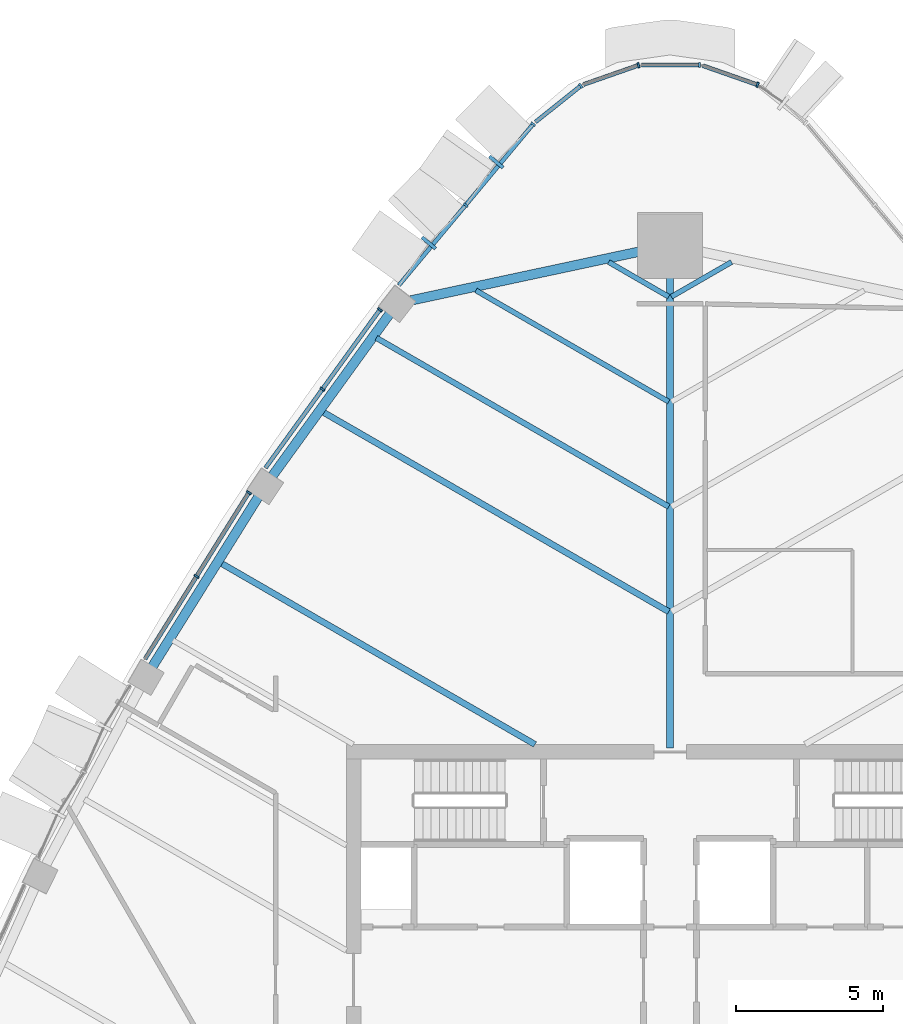
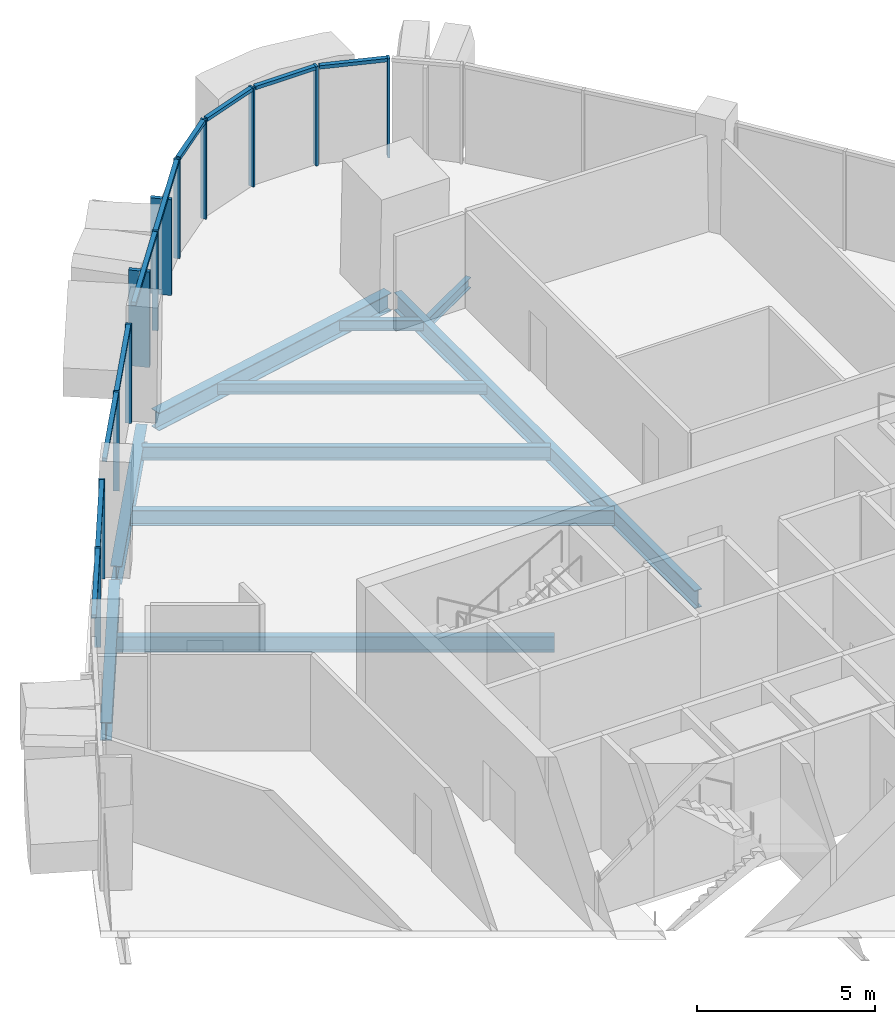
# One storey, part 6 of 18: 22 members, 10 beams, 7 elements without a shape of their own.
"""IFC4 building model written with IfcOpenShell, lengths in metres."""

from ifc_helpers import new_model, si_unit, direction, frame, origin, origin_2d, place, context, subcontext, project, spatial, rectangle, i_section, extrude, material, layer, layer_set, material_profile, profile_set, type_object, element, aggregate, save


model = new_model("IFC4")

# Units and contexts
model_context = context("Model", 3, precision=1e-05, world=origin(), true_north=direction((0.0, 1.0)))
body_context = subcontext(model_context, "Body", "Model", "MODEL_VIEW")
ifc_project = project(units=[si_unit("LENGTHUNIT", "METRE"), si_unit("AREAUNIT", "SQUARE_METRE"), si_unit("VOLUMEUNIT", "CUBIC_METRE"), si_unit("PLANEANGLEUNIT", "RADIAN"), si_unit("MASSUNIT", "GRAM", prefix="KILO")], contexts=[model_context])

# Site, building, storey
site_placement = place(None, origin())
site = spatial("IfcSite", under=ifc_project, at=site_placement, CompositionType="ELEMENT")
building_placement = place(site_placement, origin())
building = spatial("IfcBuilding", under=site, at=building_placement, Name="Sierra Prisma Convention Tower", CompositionType="ELEMENT")
storey_placement = place(building_placement, frame((0.0, 0.0, 255.0)))
storey = spatial("IfcBuildingStorey", under=building, at=storey_placement, Name="L57", CompositionType="ELEMENT", Elevation=255.0)

# Curtain wall, members
ifc_material_1 = material(Name="Aluminium and glass curtain wall", Category="aluminium")
ifc_layer_1 = layer(ifc_material_1, 0.179931640625)
ifc_layer_set_1 = layer_set([ifc_layer_1], Name="CW-2 Faceted crystal curtain wall")
curtain_wall_type_1 = type_object("IfcCurtainWallType", Name="CW-2 Faceted crystal curtain wall", PredefinedType="NOTDEFINED", material=ifc_layer_set_1)
curtain_wall_1_placement = place(storey_placement, origin())
curtain_wall_1 = element("IfcCurtainWall", 1, at=curtain_wall_1_placement, inside=storey, type_object=curtain_wall_type_1, Name="CW-2 NW1 L57", PredefinedType="NOTDEFINED")
ifc_material_2 = material(Name="Aluminium 6063-T6 bronze anodised", Category="aluminium")
ifc_material_profile_1 = material_profile(ifc_material_2, rectangle(XDim=0.1201171875, YDim=0.60009765625, at=origin_2d()), Name="ALU RIDGE BLADE 120x600")
ifc_profile_set_1 = profile_set([ifc_material_profile_1], Name="Aluminium 6063-T6 bronze anodised")
member_type_1 = type_object("IfcMemberType", Name="CW hip bronze", PredefinedType="MULLION", material=ifc_profile_set_1)
member_1_placement = place(storey_placement, frame((-5.90478515625, 27.78857421875, 0.0), z_axis=(0.0, 0.0, 1.0), x_axis=(-0.640129609041, -0.76826693514, 0.0)))
member_1 = element("IfcMember", 2, at=member_1_placement, type_object=member_type_1, Name="CW-2 ridge NW1.1", PredefinedType="MULLION", context=body_context, shape_type="SweptSolid", body=[
    extrude(rectangle(XDim=0.1201171875, YDim=0.60009765625, at=origin_2d()), origin(), (0.0, 0.0, 1.0), 3.280029296875),
])
member_2_placement = place(storey_placement, frame((-8.197021484375, 25.037353515625, 0.0), z_axis=(0.0, 0.0, 1.0), x_axis=(-0.640129609041, -0.76826693514, 0.0)))
member_2 = element("IfcMember", 3, at=member_2_placement, type_object=member_type_1, Name="CW-2 ridge NW1.2", PredefinedType="MULLION", context=body_context, shape_type="SweptSolid", body=[
    extrude(rectangle(XDim=0.1201171875, YDim=0.60009765625, at=origin_2d()), origin(), (0.0, 0.0, 1.0), 3.280029296875),
])

# Curtain wall, member
ifc_material_3 = material(Name="Aluminium and glass curtain wall", Category="aluminium")
ifc_layer_2 = layer(ifc_material_3, 0.179931640625)
ifc_layer_set_2 = layer_set([ifc_layer_2], Name="CW-1 Plain shaft curtain wall")
curtain_wall_type_2 = type_object("IfcCurtainWallType", Name="CW-1 Plain shaft curtain wall", PredefinedType="NOTDEFINED", material=ifc_layer_set_2)
curtain_wall_2_placement = place(storey_placement, origin())
curtain_wall_2 = element("IfcCurtainWall", 4, at=curtain_wall_2_placement, inside=storey, type_object=curtain_wall_type_2, Name="CW-1 N2 L57", PredefinedType="NOTDEFINED")
ifc_material_4 = material(Name="Aluminium 6063-T6 bronze anodised", Category="aluminium")
ifc_material_profile_2 = material_profile(ifc_material_4, rectangle(XDim=0.179931640625, YDim=0.070068359375, at=origin_2d()), Name="ALU MULLION 70x180")
ifc_profile_set_2 = profile_set([ifc_material_profile_2], Name="Aluminium 6063-T6 bronze anodised")
member_type_2 = type_object("IfcMemberType", Name="CW mullion bronze", PredefinedType="MULLION", material=ifc_profile_set_2)
member_3_placement = place(storey_placement, frame((2.970947265625, 30.411865234375, 0.0), z_axis=(0.0, 0.0, 1.0), x_axis=(-0.330436761906, -0.943828133921, 0.0)))
member_3 = element("IfcMember", 5, at=member_3_placement, type_object=member_type_2, Name="CW-1 mullion N2.1", PredefinedType="MULLION", context=body_context, shape_type="SweptSolid", body=[
    extrude(rectangle(XDim=0.179931640625, YDim=0.070068359375, at=origin_2d()), origin(), (0.0, 0.0, 1.0), 3.39990234375),
])

curtain_wall_3_placement = place(storey_placement, origin())
curtain_wall_3 = element("IfcCurtainWall", 6, at=curtain_wall_3_placement, inside=storey, type_object=curtain_wall_type_2, Name="CW-1 N3 L57", PredefinedType="NOTDEFINED")
member_4_placement = place(storey_placement, frame((1.005126953125, 31.087646484375, 0.0), z_axis=(0.0, 0.0, 1.0), x_axis=(0.0, -1.0, 0.0)))
member_4 = element("IfcMember", 7, at=member_4_placement, type_object=member_type_2, Name="CW-1 mullion N3.1", PredefinedType="MULLION", context=body_context, shape_type="SweptSolid", body=[
    extrude(rectangle(XDim=0.179931640625, YDim=0.070068359375, at=origin_2d()), origin(), (0.0, 0.0, 1.0), 3.39990234375),
])

curtain_wall_4_placement = place(storey_placement, origin())
curtain_wall_4 = element("IfcCurtainWall", 8, at=curtain_wall_4_placement, inside=storey, type_object=curtain_wall_type_2, Name="CW-1 N4 L57", PredefinedType="NOTDEFINED")
member_5_placement = place(storey_placement, frame((-1.0732421875, 31.076171875, 0.0), z_axis=(0.0, 0.0, 1.0), x_axis=(0.330436761906, -0.943828133921, 0.0)))
member_5 = element("IfcMember", 9, at=member_5_placement, type_object=member_type_2, Name="CW-1 mullion N4.1", PredefinedType="MULLION", context=body_context, shape_type="SweptSolid", body=[
    extrude(rectangle(XDim=0.179931640625, YDim=0.070068359375, at=origin_2d()), origin(), (0.0, 0.0, 1.0), 3.39990234375),
])

curtain_wall_5_placement = place(storey_placement, origin())
curtain_wall_5 = element("IfcCurtainWall", 10, at=curtain_wall_5_placement, inside=storey, type_object=curtain_wall_type_2, Name="CW-1 N5 L57", PredefinedType="NOTDEFINED")
member_6_placement = place(storey_placement, frame((-3.03125, 30.37841796875, 0.0), z_axis=(0.0, 0.0, 1.0), x_axis=(0.623751024737, -0.781623092763, 0.0)))
member_6 = element("IfcMember", 11, at=member_6_placement, type_object=member_type_2, Name="CW-1 mullion N5.1", PredefinedType="MULLION", context=body_context, shape_type="SweptSolid", body=[
    extrude(rectangle(XDim=0.179931640625, YDim=0.070068359375, at=origin_2d()), origin(), (0.0, 0.0, 1.0), 3.39990234375),
])

# Member
member_7_placement = place(storey_placement, frame((-4.65234375, 29.07568359375, 0.0), z_axis=(0.0, 0.0, 1.0), x_axis=(0.76826693514, -0.640129609041, 0.0)))
member_7 = element("IfcMember", 12, at=member_7_placement, type_object=member_type_2, Name="CW-1 mullion NW1.1", PredefinedType="MULLION", context=body_context, shape_type="SweptSolid", body=[
    extrude(rectangle(XDim=0.179931640625, YDim=0.070068359375, at=origin_2d()), origin(), (0.0, 0.0, 1.0), 3.39990234375),
])

member_8_placement = place(storey_placement, frame((-6.944580078125, 26.324462890625, 0.0), z_axis=(0.0, 0.0, 1.0), x_axis=(0.76826693514, -0.640129609041, 0.0)))
member_8 = element("IfcMember", 13, at=member_8_placement, type_object=member_type_2, Name="CW-1 mullion NW1.2", PredefinedType="MULLION", context=body_context, shape_type="SweptSolid", body=[
    extrude(rectangle(XDim=0.179931640625, YDim=0.070068359375, at=origin_2d()), origin(), (0.0, 0.0, 1.0), 3.39990234375),
])

# Curtain wall, members
curtain_wall_6_placement = place(storey_placement, origin())
curtain_wall_6 = element("IfcCurtainWall", 14, at=curtain_wall_6_placement, inside=storey, type_object=curtain_wall_type_2, Name="CW-1 NW2 L57", PredefinedType="NOTDEFINED")
member_9_placement = place(storey_placement, frame((-9.857421875, 22.772216796875, 0.0), z_axis=(0.0, 0.0, 1.0), x_axis=(0.810237160586, -0.586102161407, 0.0)))
member_9 = element("IfcMember", 15, at=member_9_placement, type_object=member_type_2, Name="CW-1 mullion NW2.1", PredefinedType="MULLION", context=body_context, shape_type="SweptSolid", body=[
    extrude(rectangle(XDim=0.179931640625, YDim=0.070068359375, at=origin_2d()), origin(), (0.0, 0.0, 1.0), 3.39990234375),
])
member_10_placement = place(storey_placement, frame((-11.8115234375, 20.07080078125, 0.0), z_axis=(0.0, 0.0, 1.0), x_axis=(0.810237160586, -0.586102161407, 0.0)))
member_10 = element("IfcMember", 16, at=member_10_placement, type_object=member_type_2, Name="CW-1 mullion NW2.2", PredefinedType="MULLION", context=body_context, shape_type="SweptSolid", body=[
    extrude(rectangle(XDim=0.179931640625, YDim=0.070068359375, at=origin_2d()), origin(), (0.0, 0.0, 1.0), 3.39990234375),
])

curtain_wall_7_placement = place(storey_placement, origin())
curtain_wall_7 = element("IfcCurtainWall", 17, at=curtain_wall_7_placement, inside=storey, type_object=curtain_wall_type_2, Name="CW-1 NW3 L57", PredefinedType="NOTDEFINED")
member_11_placement = place(storey_placement, frame((-14.31298828125, 16.5546875, 0.0), z_axis=(0.0, 0.0, 1.0), x_axis=(0.848415099423, -0.529331483166, 0.0)))
member_11 = element("IfcMember", 18, at=member_11_placement, type_object=member_type_2, Name="CW-1 mullion NW3.1", PredefinedType="MULLION", context=body_context, shape_type="SweptSolid", body=[
    extrude(rectangle(XDim=0.179931640625, YDim=0.070068359375, at=origin_2d()), origin(), (0.0, 0.0, 1.0), 3.39990234375),
])
member_12_placement = place(storey_placement, frame((-16.086181640625, 13.712890625, 0.0), z_axis=(0.0, 0.0, 1.0), x_axis=(0.848415099423, -0.529331483166, 0.0)))
member_12 = element("IfcMember", 19, at=member_12_placement, type_object=member_type_2, Name="CW-1 mullion NW3.2", PredefinedType="MULLION", context=body_context, shape_type="SweptSolid", body=[
    extrude(rectangle(XDim=0.179931640625, YDim=0.070068359375, at=origin_2d()), origin(), (0.0, 0.0, 1.0), 3.39990234375),
])

# Member
ifc_material_5 = material(Name="Aluminium 6063-T6 bronze anodised", Category="aluminium")
ifc_material_profile_3 = material_profile(ifc_material_5, rectangle(XDim=0.139892578125, YDim=0.1201171875, at=origin_2d()), Name="ALU TRANSOM 120x140")
ifc_profile_set_3 = profile_set([ifc_material_profile_3], Name="Aluminium 6063-T6 bronze anodised")
member_type_3 = type_object("IfcMemberType", Name="CW transom bronze", PredefinedType="USERDEFINED", material=ifc_profile_set_3)
member_13_placement = place(storey_placement, frame((2.937744140625, 30.42333984375, 3.340087890625), z_axis=(-0.943846587099, 0.330384049283, 0.0), x_axis=(-0.330384049283, -0.943846587099, 0.0)))
member_13 = element("IfcMember", 20, at=member_13_placement, type_object=member_type_3, Name="CW-1 transom N2.1", ObjectType="TRANSOM", PredefinedType="USERDEFINED", context=body_context, shape_type="SweptSolid", body=[
    extrude(rectangle(XDim=0.139892578125, YDim=0.1201171875, at=origin_2d()), origin(), (0.0, 0.0, 1.0), 1.9404296875),
])

aggregate(curtain_wall_2, [member_3, member_13])

member_14_placement = place(storey_placement, frame((0.97021484375, 31.087646484375, 3.340087890625), z_axis=(-1.0, 0.0, 0.0), x_axis=(0.0, -1.0, 0.0)))
member_14 = element("IfcMember", 21, at=member_14_placement, type_object=member_type_3, Name="CW-1 transom N3.1", ObjectType="TRANSOM", PredefinedType="USERDEFINED", context=body_context, shape_type="SweptSolid", body=[
    extrude(rectangle(XDim=0.139892578125, YDim=0.1201171875, at=origin_2d()), origin(), (0.0, 0.0, 1.0), 1.9404296875),
])

aggregate(curtain_wall_3, [member_4, member_14])

member_15_placement = place(storey_placement, frame((-1.106201171875, 31.064453125, 3.340087890625), z_axis=(-0.943846587099, -0.330384049283, 0.0), x_axis=(0.330384049283, -0.943846587099, 0.0)))
member_15 = element("IfcMember", 22, at=member_15_placement, type_object=member_type_3, Name="CW-1 transom N4.1", ObjectType="TRANSOM", PredefinedType="USERDEFINED", context=body_context, shape_type="SweptSolid", body=[
    extrude(rectangle(XDim=0.139892578125, YDim=0.1201171875, at=origin_2d()), origin(), (0.0, 0.0, 1.0), 1.9404296875),
])

aggregate(curtain_wall_4, [member_5, member_15])

member_16_placement = place(storey_placement, frame((-3.05859375, 30.356689453125, 3.340087890625), z_axis=(-0.781629199577, -0.623743372204, 0.0), x_axis=(0.623743372204, -0.781629199577, 0.0)))
member_16 = element("IfcMember", 23, at=member_16_placement, type_object=member_type_3, Name="CW-1 transom N5.1", ObjectType="TRANSOM", PredefinedType="USERDEFINED", context=body_context, shape_type="SweptSolid", body=[
    extrude(rectangle(XDim=0.139892578125, YDim=0.1201171875, at=origin_2d()), origin(), (0.0, 0.0, 1.0), 1.940673828125),
])

aggregate(curtain_wall_5, [member_6, member_16])

member_17_placement = place(storey_placement, frame((-4.6748046875, 29.048828125, 3.340087890625), z_axis=(-0.640122843609, -0.768272572131, 0.0), x_axis=(0.768272572131, -0.640122843609, 0.0)))
member_17 = element("IfcMember", 24, at=member_17_placement, type_object=member_type_3, Name="CW-1 transom NW1.1", ObjectType="TRANSOM", PredefinedType="USERDEFINED", context=body_context, shape_type="SweptSolid", body=[
    extrude(rectangle(XDim=0.139892578125, YDim=0.1201171875, at=origin_2d()), origin(), (0.0, 0.0, 1.0), 3.51123046875),
])

member_18_placement = place(storey_placement, frame((-6.967041015625, 26.297607421875, 3.340087890625), z_axis=(-0.640157040464, -0.768244078106, 0.0), x_axis=(0.768244078106, -0.640157040464, 0.0)))
member_18 = element("IfcMember", 25, at=member_18_placement, type_object=member_type_3, Name="CW-1 transom NW1.2", ObjectType="TRANSOM", PredefinedType="USERDEFINED", context=body_context, shape_type="SweptSolid", body=[
    extrude(rectangle(XDim=0.139892578125, YDim=0.1201171875, at=origin_2d()), origin(), (0.0, 0.0, 1.0), 3.510986328125),
])

aggregate(curtain_wall_1, [member_7, member_8, member_17, member_1, member_18, member_2])

member_19_placement = place(storey_placement, frame((-9.8779296875, 22.743896484375, 3.340087890625), z_axis=(-0.586123965477, -0.810221387704, 0.0), x_axis=(0.810221387704, -0.586123965477, 0.0)))
member_19 = element("IfcMember", 26, at=member_19_placement, type_object=member_type_3, Name="CW-1 transom NW2.1", ObjectType="TRANSOM", PredefinedType="USERDEFINED", context=body_context, shape_type="SweptSolid", body=[
    extrude(rectangle(XDim=0.139892578125, YDim=0.1201171875, at=origin_2d()), origin(), (0.0, 0.0, 1.0), 3.263916015625),
])

member_20_placement = place(storey_placement, frame((-11.83203125, 20.04248046875, 3.340087890625), z_axis=(-0.586074859878, -0.810256909023, 0.0), x_axis=(0.810256909023, -0.586074859878, 0.0)))
member_20 = element("IfcMember", 27, at=member_20_placement, type_object=member_type_3, Name="CW-1 transom NW2.2", ObjectType="TRANSOM", PredefinedType="USERDEFINED", context=body_context, shape_type="SweptSolid", body=[
    extrude(rectangle(XDim=0.139892578125, YDim=0.1201171875, at=origin_2d()), origin(), (0.0, 0.0, 1.0), 3.263916015625),
])

aggregate(curtain_wall_6, [member_9, member_10, member_19, member_20])

member_21_placement = place(storey_placement, frame((-14.33154296875, 16.525146484375, 3.340087890625), z_axis=(-0.529316296517, -0.84842457428, 0.0), x_axis=(0.84842457428, -0.529316296517, 0.0)))
member_21 = element("IfcMember", 28, at=member_21_placement, type_object=member_type_3, Name="CW-1 transom NW3.1", ObjectType="TRANSOM", PredefinedType="USERDEFINED", context=body_context, shape_type="SweptSolid", body=[
    extrude(rectangle(XDim=0.139892578125, YDim=0.1201171875, at=origin_2d()), origin(), (0.0, 0.0, 1.0), 3.27978515625),
])

member_22_placement = place(storey_placement, frame((-16.104736328125, 13.68310546875, 3.340087890625), z_axis=(-0.529316296517, -0.84842457428, 0.0), x_axis=(0.84842457428, -0.529316296517, 0.0)))
member_22 = element("IfcMember", 29, at=member_22_placement, type_object=member_type_3, Name="CW-1 transom NW3.2", ObjectType="TRANSOM", PredefinedType="USERDEFINED", context=body_context, shape_type="SweptSolid", body=[
    extrude(rectangle(XDim=0.139892578125, YDim=0.1201171875, at=origin_2d()), origin(), (0.0, 0.0, 1.0), 3.27978515625),
])

aggregate(curtain_wall_7, [member_11, member_12, member_21, member_22])

# Beams
ifc_material_6 = material(Name="Steel ASTM A992 Gr 50", Category="steel")
ifc_material_profile_4 = material_profile(ifc_material_6, i_section(OverallWidth=0.172119140625, OverallDepth=0.35791015625, WebThickness=0.0078125, FlangeThickness=0.01318359375, at=origin_2d()), Name="W360x57")
ifc_profile_set_4 = profile_set([ifc_material_profile_4], Name="Steel ASTM A992 Gr 50")
beam_type_1 = type_object("IfcBeamType", Name="Floor joist W360x57", PredefinedType="JOIST", material=ifc_profile_set_4)
for number, where, z_axis, x_axis, name in (
    (30, (2.08740234375, 24.39013671875, -0.3291015625), (-0.866016566931, -0.500015305566, 0.0), (0.500015305566, -0.866016566931, 0.0), "Floor joist L57 NE14"),
    (31, (-2.08740234375, 24.39013671875, -0.3291015625), (0.866016566931, -0.500015305566, 0.0), (0.500015305566, 0.866016566931, 0.0), "Floor joist L57 NW01"),
):
    element("IfcBeam", number, at=place(storey_placement, frame(where, z_axis=z_axis, x_axis=x_axis)), inside=storey, type_object=beam_type_1, Name=name, PredefinedType="JOIST", context=body_context, shape_type="SweptSolid", body=[
        extrude(i_section(OverallWidth=0.172119140625, OverallDepth=0.35791015625, WebThickness=0.0078125, FlangeThickness=0.01318359375, at=origin_2d()), origin(), (0.0, 0.0, 1.0), 2.357421875),
    ])
beam_1_placement = place(storey_placement, frame((-6.595947265625, 23.42626953125, -0.3291015625), z_axis=(0.866021635076, -0.500006527538, 0.0), x_axis=(0.500006527538, 0.866021635076, 0.0)))
element("IfcBeam", 32, at=beam_1_placement, inside=storey, type_object=beam_type_1, Name="Floor joist L57 NW02", PredefinedType="JOIST", context=body_context, shape_type="SweptSolid", body=[
    extrude(i_section(OverallWidth=0.172119140625, OverallDepth=0.35791015625, WebThickness=0.0078125, FlangeThickness=0.01318359375, at=origin_2d()), origin(), (0.0, 0.0, 1.0), 7.5634765625),
])
ifc_material_7 = material(Name="Steel ASTM A992 Gr 50", Category="steel")
ifc_material_profile_5 = material_profile(ifc_material_7, i_section(OverallWidth=0.18994140625, OverallDepth=0.45703125, WebThickness=0.009033203125, FlangeThickness=0.014404296875, at=origin_2d()), Name="W460x74")
ifc_profile_set_5 = profile_set([ifc_material_profile_5], Name="Steel ASTM A992 Gr 50")
beam_type_2 = type_object("IfcBeamType", Name="Floor joist W460x74", PredefinedType="JOIST", material=ifc_profile_set_5)
beam_2_placement = place(storey_placement, frame((-9.980224609375, 21.813232421875, -0.37841796875), z_axis=(0.866025033342, -0.500000641624, 0.0), x_axis=(0.500000641624, 0.866025033342, 0.0)))
element("IfcBeam", 33, at=beam_2_placement, inside=storey, type_object=beam_type_2, Name="Floor joist L57 NW03", PredefinedType="JOIST", context=body_context, shape_type="SweptSolid", body=[
    extrude(i_section(OverallWidth=0.18994140625, OverallDepth=0.45703125, WebThickness=0.009033203125, FlangeThickness=0.014404296875, at=origin_2d()), origin(), (0.0, 0.0, 1.0), 11.47119140625),
])
ifc_material_8 = material(Name="Steel ASTM A992 Gr 50", Category="steel")
ifc_material_profile_6 = material_profile(ifc_material_8, i_section(OverallWidth=0.208984375, OverallDepth=0.532958984375, WebThickness=0.01025390625, FlangeThickness=0.015625, at=origin_2d()), Name="W530x92")
ifc_profile_set_6 = profile_set([ifc_material_profile_6], Name="Steel ASTM A992 Gr 50")
beam_type_3 = type_object("IfcBeamType", Name="Floor joist W530x92", PredefinedType="JOIST", material=ifc_profile_set_6)
beam_3_placement = place(storey_placement, frame((-11.80029296875, 19.297119140625, -0.41650390625), z_axis=(0.866026229868, -0.499998569178, 0.0), x_axis=(0.499998569178, 0.866026229868, 0.0)))
element("IfcBeam", 34, at=beam_3_placement, inside=storey, type_object=beam_type_3, Name="Floor joist L57 NW04", PredefinedType="JOIST", context=body_context, shape_type="SweptSolid", body=[
    extrude(i_section(OverallWidth=0.208984375, OverallDepth=0.532958984375, WebThickness=0.01025390625, FlangeThickness=0.015625, at=origin_2d()), origin(), (0.0, 0.0, 1.0), 13.57275390625),
])
beam_4_placement = place(storey_placement, frame((-15.26123046875, 14.161376953125, -0.41650390625), z_axis=(0.866026561648, -0.499997994516, 0.0), x_axis=(0.499997994516, 0.866026561648, 0.0)))
element("IfcBeam", 35, at=beam_4_placement, inside=storey, type_object=beam_type_3, Name="Floor joist L57 NW06", PredefinedType="JOIST", context=body_context, shape_type="SweptSolid", body=[
    extrude(i_section(OverallWidth=0.208984375, OverallDepth=0.532958984375, WebThickness=0.01025390625, FlangeThickness=0.015625, at=origin_2d()), origin(), (0.0, 0.0, 1.0), 12.32275390625),
])
ifc_material_9 = material(Name="Steel ASTM A992 Gr 50", Category="steel")
ifc_material_profile_7 = material_profile(ifc_material_9, i_section(OverallWidth=0.22998046875, OverallDepth=0.616943359375, WebThickness=0.01318359375, FlangeThickness=0.022216796875, at=origin_2d()), Name="W610x140")
ifc_profile_set_7 = profile_set([ifc_material_profile_7], Name="Steel ASTM A992 Gr 50")
beam_type_4 = type_object("IfcBeamType", Name="Radial girder W610x140", PredefinedType="BEAM", material=ifc_profile_set_7)
beam_5_placement = place(storey_placement, frame((0.0, 24.748291015625, -0.45849609375), z_axis=(0.0, -1.0, 0.0), x_axis=(1.0, 0.0, 0.0)))
element("IfcBeam", 36, at=beam_5_placement, inside=storey, type_object=beam_type_4, Name="Radial girder L57 N", PredefinedType="BEAM", context=body_context, shape_type="SweptSolid", body=[
    extrude(i_section(OverallWidth=0.22998046875, OverallDepth=0.616943359375, WebThickness=0.01318359375, FlangeThickness=0.022216796875, at=origin_2d()), origin(), (0.0, 0.0, 1.0), 16.868408203125),
])
ifc_material_10 = material(Name="Steel ASTM A992 Gr 50", Category="steel")
ifc_material_profile_8 = material_profile(ifc_material_10, i_section(OverallWidth=0.324951171875, OverallDepth=0.615966796875, WebThickness=0.013916015625, FlangeThickness=0.021484375, at=origin_2d()), Name="W610x174")
ifc_profile_set_8 = profile_set([ifc_material_profile_8], Name="Steel ASTM A992 Gr 50")
beam_type_5 = type_object("IfcBeamType", Name="Spandrel beam W610x174", PredefinedType="BEAM", material=ifc_profile_set_8)
beam_6_placement = place(storey_placement, frame((-0.219970703125, 24.92138671875, -0.4580078125), z_axis=(-0.977895829233, -0.209092676027, 0.0), x_axis=(0.209092676027, -0.977895829233, 0.0)))
element("IfcBeam", 37, at=beam_6_placement, inside=storey, type_object=beam_type_5, Name="Spandrel L57-13", PredefinedType="BEAM", context=body_context, shape_type="SweptSolid", body=[
    extrude(i_section(OverallWidth=0.324951171875, OverallDepth=0.615966796875, WebThickness=0.013916015625, FlangeThickness=0.021484375, at=origin_2d()), origin(), (0.0, 0.0, 1.0), 8.78759765625),
])
beam_7_placement = place(storey_placement, frame((-9.464599609375, 22.718505859375, -0.4580078125), z_axis=(-0.586099318327, -0.81023921718, 0.0), x_axis=(0.81023921718, -0.586099318327, 0.0)))
element("IfcBeam", 38, at=beam_7_placement, inside=storey, type_object=beam_type_5, Name="Spandrel L57-14", PredefinedType="BEAM", context=body_context, shape_type="SweptSolid", body=[
    extrude(i_section(OverallWidth=0.324951171875, OverallDepth=0.615966796875, WebThickness=0.013916015625, FlangeThickness=0.021484375, at=origin_2d()), origin(), (0.0, 0.0, 1.0), 6.997314453125),
])
beam_8_placement = place(storey_placement, frame((-13.93408203125, 16.501220703125, -0.4580078125), z_axis=(-0.529343329706, -0.848407708178, 0.0), x_axis=(0.848407708178, -0.529343329706, 0.0)))
element("IfcBeam", 39, at=beam_8_placement, inside=storey, type_object=beam_type_5, Name="Spandrel L57-15", PredefinedType="BEAM", context=body_context, shape_type="SweptSolid", body=[
    extrude(i_section(OverallWidth=0.324951171875, OverallDepth=0.615966796875, WebThickness=0.013916015625, FlangeThickness=0.021484375, at=origin_2d()), origin(), (0.0, 0.0, 1.0), 6.99755859375),
])

save(model, "model.ifc")
